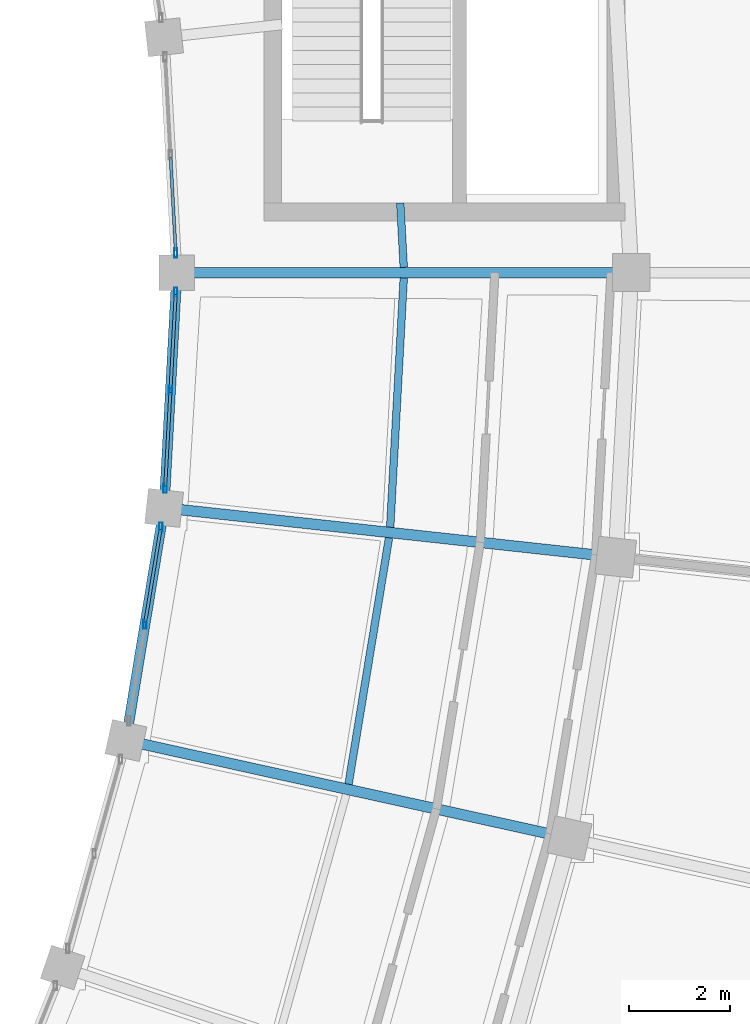
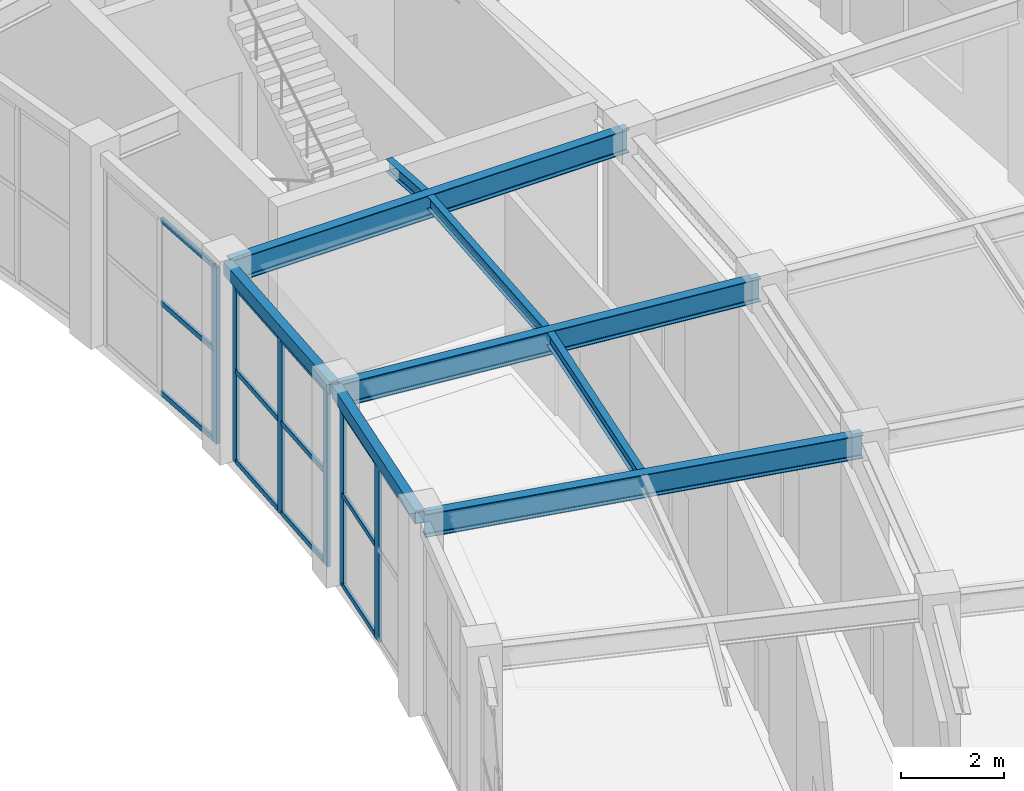
# One storey, part 57 of 100: 18 members, 8 beams, 3 elements without a shape of their own.
"""IFC4 building model written with IfcOpenShell, lengths in metres."""

from ifc_helpers import new_model, si_unit, direction, frame, origin, origin_2d, place, context, subcontext, project, spatial, hollow_rectangle, i_section, extrude, material, material_profile, profile_set, type_object, element, aggregate, save


model = new_model("IFC4")

# Units and contexts
model_context = context("Model", 3, precision=1e-05, world=origin(), true_north=direction((0.0, 1.0)))
body_context = subcontext(model_context, "Body", "Model", "MODEL_VIEW")
ifc_project = project(units=[si_unit("LENGTHUNIT", "METRE"), si_unit("AREAUNIT", "SQUARE_METRE"), si_unit("VOLUMEUNIT", "CUBIC_METRE"), si_unit("PLANEANGLEUNIT", "RADIAN"), si_unit("MASSUNIT", "GRAM", prefix="KILO")], contexts=[model_context])

# Site, building, storey
site_placement = place(None, origin())
site = spatial("IfcSite", under=ifc_project, at=site_placement, CompositionType="ELEMENT")
building_placement = place(site_placement, origin())
building = spatial("IfcBuilding", under=site, at=building_placement, Name="Tarnveldt Headland Concert Hall", CompositionType="ELEMENT")
storey_placement = place(building_placement, frame((0.0, 0.0, 4.800048828125)))
storey = spatial("IfcBuildingStorey", under=building, at=storey_placement, Name="L01", CompositionType="ELEMENT", Elevation=4.800048828125)

# Curtain wall, members
ifc_material_1 = material(Name="Marine-anodised aluminium EN AW-6063-T6", Category="aluminium")
curtain_wall_type = type_object("IfcCurtainWallType", Name="CW-C2", PredefinedType="NOTDEFINED", material=ifc_material_1)
curtain_wall_1_placement = place(storey_placement, origin())
curtain_wall_1 = element("IfcCurtainWall", 1, at=curtain_wall_1_placement, inside=storey, type_object=curtain_wall_type, Name="Curtain wall CW-L01-112", PredefinedType="NOTDEFINED")
ifc_material_profile_1 = material_profile(ifc_material_1, hollow_rectangle(XDim=0.06494140625, YDim=0.179931640625, WallThickness=0.00390625, at=origin_2d()), Name="ALU MULLION 65x180x4", Category="aluminium")
ifc_profile_set_1 = profile_set([ifc_material_profile_1], Name="Marine-anodised aluminium EN AW-6063-T6")
member_type_1 = type_object("IfcMemberType", Name="ML-180", PredefinedType="MULLION", material=ifc_profile_set_1)
member_1_placement = place(storey_placement, frame((159.8681640625, 53.03662109375, 0.0), z_axis=(0.0, 0.0, 1.0), x_axis=(1.0, 0.0, 0.0)))
member_1 = element("IfcMember", 2, at=member_1_placement, type_object=member_type_1, Name="Mullion CW-L01-112-2", PredefinedType="MULLION", context=body_context, shape_type="SweptSolid", body=[
    extrude(hollow_rectangle(XDim=0.06494140625, YDim=0.179931640625, WallThickness=0.00390625, at=origin_2d()), origin(), (0.0, 0.0, 1.0), 4.179931640625),
])
member_2_placement = place(storey_placement, frame((160.183349609375, 54.95458984375, 0.0), z_axis=(0.0, 0.0, 1.0), x_axis=(1.0, 0.0, 0.0)))
member_2 = element("IfcMember", 3, at=member_2_placement, type_object=member_type_1, Name="Mullion CW-L01-112-3", PredefinedType="MULLION", context=body_context, shape_type="SweptSolid", body=[
    extrude(hollow_rectangle(XDim=0.06494140625, YDim=0.179931640625, WallThickness=0.00390625, at=origin_2d()), origin(), (0.0, 0.0, 1.0), 4.179931640625),
])

curtain_wall_2_placement = place(storey_placement, origin())
curtain_wall_2 = element("IfcCurtainWall", 4, at=curtain_wall_2_placement, inside=storey, type_object=curtain_wall_type, Name="Curtain wall CW-L01-113", PredefinedType="NOTDEFINED")
member_3_placement = place(storey_placement, frame((160.267822265625, 55.728759765625, 0.0), z_axis=(0.0, 0.0, 1.0), x_axis=(1.0, 0.0, 0.0)))
member_3 = element("IfcMember", 5, at=member_3_placement, type_object=member_type_1, Name="Mullion CW-L01-113-1", PredefinedType="MULLION", context=body_context, shape_type="SweptSolid", body=[
    extrude(hollow_rectangle(XDim=0.06494140625, YDim=0.179931640625, WallThickness=0.00390625, at=origin_2d()), origin(), (0.0, 0.0, 1.0), 4.179931640625),
])
member_4_placement = place(storey_placement, frame((160.373291015625, 57.669677734375, 0.0), z_axis=(0.0, 0.0, 1.0), x_axis=(1.0, 0.0, 0.0)))
member_4 = element("IfcMember", 6, at=member_4_placement, type_object=member_type_1, Name="Mullion CW-L01-113-2", PredefinedType="MULLION", context=body_context, shape_type="SweptSolid", body=[
    extrude(hollow_rectangle(XDim=0.06494140625, YDim=0.179931640625, WallThickness=0.00390625, at=origin_2d()), origin(), (0.0, 0.0, 1.0), 4.179931640625),
])
member_5_placement = place(storey_placement, frame((160.478759765625, 59.610595703125, 0.0), z_axis=(0.0, 0.0, 1.0), x_axis=(1.0, 0.0, 0.0)))
member_5 = element("IfcMember", 7, at=member_5_placement, type_object=member_type_1, Name="Mullion CW-L01-113-3", PredefinedType="MULLION", context=body_context, shape_type="SweptSolid", body=[
    extrude(hollow_rectangle(XDim=0.06494140625, YDim=0.179931640625, WallThickness=0.00390625, at=origin_2d()), origin(), (0.0, 0.0, 1.0), 4.179931640625),
])

# Curtain wall, member
curtain_wall_3_placement = place(storey_placement, origin())
curtain_wall_3 = element("IfcCurtainWall", 8, at=curtain_wall_3_placement, inside=storey, type_object=curtain_wall_type, Name="Curtain wall CW-L01-114", PredefinedType="NOTDEFINED")
member_6_placement = place(storey_placement, frame((160.478759765625, 60.389404296875, 0.0), z_axis=(0.0, 0.0, 1.0), x_axis=(1.0, 0.0, 0.0)))
member_6 = element("IfcMember", 9, at=member_6_placement, type_object=member_type_1, Name="Mullion CW-L01-114-1", PredefinedType="MULLION", context=body_context, shape_type="SweptSolid", body=[
    extrude(hollow_rectangle(XDim=0.06494140625, YDim=0.179931640625, WallThickness=0.00390625, at=origin_2d()), origin(), (0.0, 0.0, 1.0), 4.179931640625),
])

# Beams
ifc_material_2 = material(Name="Steel S355", Category="steel")
ifc_material_profile_2 = material_profile(ifc_material_2, i_section(OverallWidth=0.14990234375, OverallDepth=0.300048828125, WebThickness=0.007080078125, FlangeThickness=0.0107421875, FilletRadius=0.014892578125, at=origin_2d()), Name="IPE300", Category="steel")
ifc_profile_set_2 = profile_set([ifc_material_profile_2], Name="Steel S355")
beam_type_1 = type_object("IfcBeamType", Name="SB-IPE300", PredefinedType="JOIST", material=ifc_profile_set_2)
beam_1_placement = place(storey_placement, frame((163.90087890625, 49.86767578125, 4.389892578125), z_axis=(0.162205283483, 0.986757034943, 0.0), x_axis=(-0.986757034943, 0.162205283483, 0.0)))
element("IfcBeam", 10, at=beam_1_placement, inside=storey, type_object=beam_type_1, Name="Framing beam L01-789", PredefinedType="JOIST", context=body_context, shape_type="SweptSolid", body=[
    extrude(i_section(OverallWidth=0.14990234375, OverallDepth=0.300048828125, WebThickness=0.007080078125, FlangeThickness=0.0107421875, FilletRadius=0.014892578125, at=origin_2d()), origin(), (0.0, 0.0, 1.0), 4.94580078125),
])
beam_2_placement = place(storey_placement, frame((164.725830078125, 54.95654296875, 4.389892578125), z_axis=(0.054297162642, 0.998524820988, 0.0), x_axis=(-0.998524820988, 0.054297162642, 0.0)))
element("IfcBeam", 11, at=beam_2_placement, inside=storey, type_object=beam_type_1, Name="Framing beam L01-796", PredefinedType="JOIST", context=body_context, shape_type="SweptSolid", body=[
    extrude(i_section(OverallWidth=0.14990234375, OverallDepth=0.300048828125, WebThickness=0.007080078125, FlangeThickness=0.0107421875, FilletRadius=0.014892578125, at=origin_2d()), origin(), (0.0, 0.0, 1.0), 4.946044921875),
])
beam_3_placement = place(storey_placement, frame((164.994384765625, 60.104736328125, 4.389892578125), z_axis=(-0.05429467501, 0.998524956256, 0.0), x_axis=(-0.998524956256, -0.05429467501, 0.0)))
element("IfcBeam", 12, at=beam_3_placement, inside=storey, type_object=beam_type_1, Name="Framing beam L01-803", PredefinedType="JOIST", context=body_context, shape_type="SweptSolid", body=[
    extrude(i_section(OverallWidth=0.14990234375, OverallDepth=0.300048828125, WebThickness=0.007080078125, FlangeThickness=0.0107421875, FilletRadius=0.014892578125, at=origin_2d()), origin(), (0.0, 0.0, 1.0), 1.277099609375),
])
ifc_material_profile_3 = material_profile(ifc_material_2, i_section(OverallWidth=0.2099609375, OverallDepth=0.550048828125, WebThickness=0.010986328125, FlangeThickness=0.01708984375, FilletRadius=0.02392578125, at=origin_2d()), Name="IPE550", Category="steel")
ifc_profile_set_3 = profile_set([ifc_material_profile_3], Name="Steel S355")
beam_type_2 = type_object("IfcBeamType", Name="SB-IPE550", PredefinedType="BEAM", material=ifc_profile_set_3)
beam_4_placement = place(storey_placement, frame((159.54833984375, 50.720947265625, 4.264892578125), z_axis=(0.976505569656, -0.215492163268, 0.0), x_axis=(0.215492163268, 0.976505569656, 0.0)))
element("IfcBeam", 13, at=beam_4_placement, inside=storey, type_object=beam_type_2, Name="Framing beam L01-784", PredefinedType="BEAM", context=body_context, shape_type="SweptSolid", body=[
    extrude(i_section(OverallWidth=0.2099609375, OverallDepth=0.550048828125, WebThickness=0.010986328125, FlangeThickness=0.01708984375, FilletRadius=0.02392578125, at=origin_2d()), origin(), (0.0, 0.0, 1.0), 8.880126953125),
])
for number, where, z_axis, x_axis, name in (
    (14, (160.306396484375, 55.3330078125, 4.264892578125), (0.994109611255, -0.108379337562, 0.0), (0.108379337562, 0.994109611255, 0.0), "Framing beam L01-791"),
    (15, (160.56005859375, 60.0, 4.264892578125), (1.0, 0.0, 0.0), (0.0, 1.0, 0.0), "Framing beam L01-798"),
):
    element("IfcBeam", number, at=place(storey_placement, frame(where, z_axis=z_axis, x_axis=x_axis)), inside=storey, type_object=beam_type_2, Name=name, PredefinedType="BEAM", context=body_context, shape_type="SweptSolid", body=[
        extrude(i_section(OverallWidth=0.2099609375, OverallDepth=0.550048828125, WebThickness=0.010986328125, FlangeThickness=0.01708984375, FilletRadius=0.02392578125, at=origin_2d()), origin(), (0.0, 0.0, 1.0), 8.8798828125),
    ])
ifc_material_profile_4 = material_profile(ifc_material_2, hollow_rectangle(XDim=0.199951171875, YDim=0.300048828125, WallThickness=0.012451171875, at=origin_2d()), Name="RHS 300x200x12.5", Category="steel")
ifc_profile_set_4 = profile_set([ifc_material_profile_4], Name="Steel S355")
beam_type_3 = type_object("IfcBeamType", Name="SB-RHS300", PredefinedType="SPANDREL", material=ifc_profile_set_4)
beam_5_placement = place(storey_placement, frame((159.49951171875, 50.79296875, 4.389892578125), z_axis=(0.162187266023, 0.986759996524, 0.0), x_axis=(-0.986759996524, 0.162187266023, 0.0)))
element("IfcBeam", 16, at=beam_5_placement, inside=storey, type_object=beam_type_3, Name="Framing beam L01-786", PredefinedType="SPANDREL", context=body_context, shape_type="SweptSolid", body=[
    extrude(hollow_rectangle(XDim=0.199951171875, YDim=0.300048828125, WallThickness=0.012451171875, at=origin_2d()), origin(), (0.0, 0.0, 1.0), 4.547607421875),
])
beam_6_placement = place(storey_placement, frame((160.25, 55.3994140625, 4.389892578125), z_axis=(0.05422410232, 0.998528791136, 0.0), x_axis=(-0.998528791136, 0.05422410232, 0.0)))
element("IfcBeam", 17, at=beam_6_placement, inside=storey, type_object=beam_type_3, Name="Framing beam L01-793", PredefinedType="SPANDREL", context=body_context, shape_type="SweptSolid", body=[
    extrude(hollow_rectangle(XDim=0.199951171875, YDim=0.300048828125, WallThickness=0.012451171875, at=origin_2d()), origin(), (0.0, 0.0, 1.0), 4.54736328125),
])

# Member
ifc_material_profile_5 = material_profile(ifc_material_1, hollow_rectangle(XDim=0.06005859375, YDim=0.1201171875, WallThickness=0.00390625, at=origin_2d()), Name="ALU TRANSOM 60x120x4", Category="aluminium")
ifc_profile_set_5 = profile_set([ifc_material_profile_5], Name="Marine-anodised aluminium EN AW-6063-T6")
member_type_2 = type_object("IfcMemberType", Name="TR-110", PredefinedType="MEMBER", material=ifc_profile_set_5)
member_7_placement = place(storey_placement, frame((159.87548828125, 53.08056640625, 0.050048828125), z_axis=(0.162178507112, 0.986761436129, 0.0), x_axis=(-0.986761436129, 0.162178507112, 0.0)))
member_7 = element("IfcMember", 18, at=member_7_placement, type_object=member_type_2, Name="Transom CW-L01-112-2-1", PredefinedType="MEMBER", context=body_context, shape_type="SweptSolid", body=[
    extrude(hollow_rectangle(XDim=0.06005859375, YDim=0.1201171875, WallThickness=0.00390625, at=origin_2d()), origin(), (0.0, 0.0, 1.0), 1.854736328125),
])

member_8_placement = place(storey_placement, frame((159.87548828125, 53.08056640625, 2.173583984375), z_axis=(0.162178507112, 0.986761436129, 0.0), x_axis=(-0.986761436129, 0.162178507112, 0.0)))
member_8 = element("IfcMember", 19, at=member_8_placement, type_object=member_type_2, Name="Transom CW-L01-112-2-2", PredefinedType="MEMBER", context=body_context, shape_type="SweptSolid", body=[
    extrude(hollow_rectangle(XDim=0.06005859375, YDim=0.1201171875, WallThickness=0.00390625, at=origin_2d()), origin(), (0.0, 0.0, 1.0), 1.854736328125),
])

member_9_placement = place(storey_placement, frame((159.87548828125, 53.08056640625, 4.1298828125), z_axis=(0.162178507112, 0.986761436129, 0.0), x_axis=(-0.986761436129, 0.162178507112, 0.0)))
member_9 = element("IfcMember", 20, at=member_9_placement, type_object=member_type_2, Name="Transom CW-L01-112-2-3", PredefinedType="MEMBER", context=body_context, shape_type="SweptSolid", body=[
    extrude(hollow_rectangle(XDim=0.06005859375, YDim=0.1201171875, WallThickness=0.00390625, at=origin_2d()), origin(), (0.0, 0.0, 1.0), 1.854736328125),
])

aggregate(curtain_wall_1, [member_1, member_2, member_7, member_8, member_9])

member_10_placement = place(storey_placement, frame((160.270263671875, 55.773193359375, 0.050048828125), z_axis=(0.054230650598, 0.998528435517, 0.0), x_axis=(-0.998528435517, 0.054230650598, 0.0)))
member_10 = element("IfcMember", 21, at=member_10_placement, type_object=member_type_2, Name="Transom CW-L01-113-1-1", PredefinedType="MEMBER", context=body_context, shape_type="SweptSolid", body=[
    extrude(hollow_rectangle(XDim=0.06005859375, YDim=0.1201171875, WallThickness=0.00390625, at=origin_2d()), origin(), (0.0, 0.0, 1.0), 1.854736328125),
])

member_11_placement = place(storey_placement, frame((160.270263671875, 55.773193359375, 2.173583984375), z_axis=(0.054230650598, 0.998528435517, 0.0), x_axis=(-0.998528435517, 0.054230650598, 0.0)))
member_11 = element("IfcMember", 22, at=member_11_placement, type_object=member_type_2, Name="Transom CW-L01-113-1-2", PredefinedType="MEMBER", context=body_context, shape_type="SweptSolid", body=[
    extrude(hollow_rectangle(XDim=0.06005859375, YDim=0.1201171875, WallThickness=0.00390625, at=origin_2d()), origin(), (0.0, 0.0, 1.0), 1.854736328125),
])

member_12_placement = place(storey_placement, frame((160.270263671875, 55.773193359375, 4.1298828125), z_axis=(0.054230650598, 0.998528435517, 0.0), x_axis=(-0.998528435517, 0.054230650598, 0.0)))
member_12 = element("IfcMember", 23, at=member_12_placement, type_object=member_type_2, Name="Transom CW-L01-113-1-3", PredefinedType="MEMBER", context=body_context, shape_type="SweptSolid", body=[
    extrude(hollow_rectangle(XDim=0.06005859375, YDim=0.1201171875, WallThickness=0.00390625, at=origin_2d()), origin(), (0.0, 0.0, 1.0), 1.854736328125),
])

member_13_placement = place(storey_placement, frame((160.375732421875, 57.714111328125, 0.050048828125), z_axis=(0.054230650598, 0.998528435517, 0.0), x_axis=(-0.998528435517, 0.054230650598, 0.0)))
member_13 = element("IfcMember", 24, at=member_13_placement, type_object=member_type_2, Name="Transom CW-L01-113-2-1", PredefinedType="MEMBER", context=body_context, shape_type="SweptSolid", body=[
    extrude(hollow_rectangle(XDim=0.06005859375, YDim=0.1201171875, WallThickness=0.00390625, at=origin_2d()), origin(), (0.0, 0.0, 1.0), 1.854736328125),
])

member_14_placement = place(storey_placement, frame((160.375732421875, 57.714111328125, 2.173583984375), z_axis=(0.054230650598, 0.998528435517, 0.0), x_axis=(-0.998528435517, 0.054230650598, 0.0)))
member_14 = element("IfcMember", 25, at=member_14_placement, type_object=member_type_2, Name="Transom CW-L01-113-2-2", PredefinedType="MEMBER", context=body_context, shape_type="SweptSolid", body=[
    extrude(hollow_rectangle(XDim=0.06005859375, YDim=0.1201171875, WallThickness=0.00390625, at=origin_2d()), origin(), (0.0, 0.0, 1.0), 1.854736328125),
])

member_15_placement = place(storey_placement, frame((160.375732421875, 57.714111328125, 4.1298828125), z_axis=(0.054230650598, 0.998528435517, 0.0), x_axis=(-0.998528435517, 0.054230650598, 0.0)))
member_15 = element("IfcMember", 26, at=member_15_placement, type_object=member_type_2, Name="Transom CW-L01-113-2-3", PredefinedType="MEMBER", context=body_context, shape_type="SweptSolid", body=[
    extrude(hollow_rectangle(XDim=0.06005859375, YDim=0.1201171875, WallThickness=0.00390625, at=origin_2d()), origin(), (0.0, 0.0, 1.0), 1.854736328125),
])

aggregate(curtain_wall_2, [member_3, member_4, member_5, member_10, member_11, member_12, member_13, member_14, member_15])

member_16_placement = place(storey_placement, frame((160.476318359375, 60.433837890625, 0.050048828125), z_axis=(-0.054230650598, 0.998528435517, 0.0), x_axis=(-0.998528435517, -0.054230650598, 0.0)))
member_16 = element("IfcMember", 27, at=member_16_placement, type_object=member_type_2, Name="Transom CW-L01-114-1-1", PredefinedType="MEMBER", context=body_context, shape_type="SweptSolid", body=[
    extrude(hollow_rectangle(XDim=0.06005859375, YDim=0.1201171875, WallThickness=0.00390625, at=origin_2d()), origin(), (0.0, 0.0, 1.0), 1.854736328125),
])

member_17_placement = place(storey_placement, frame((160.476318359375, 60.433837890625, 2.173583984375), z_axis=(-0.054230650598, 0.998528435517, 0.0), x_axis=(-0.998528435517, -0.054230650598, 0.0)))
member_17 = element("IfcMember", 28, at=member_17_placement, type_object=member_type_2, Name="Transom CW-L01-114-1-2", PredefinedType="MEMBER", context=body_context, shape_type="SweptSolid", body=[
    extrude(hollow_rectangle(XDim=0.06005859375, YDim=0.1201171875, WallThickness=0.00390625, at=origin_2d()), origin(), (0.0, 0.0, 1.0), 1.854736328125),
])

member_18_placement = place(storey_placement, frame((160.476318359375, 60.433837890625, 4.1298828125), z_axis=(-0.054230650598, 0.998528435517, 0.0), x_axis=(-0.998528435517, -0.054230650598, 0.0)))
member_18 = element("IfcMember", 29, at=member_18_placement, type_object=member_type_2, Name="Transom CW-L01-114-1-3", PredefinedType="MEMBER", context=body_context, shape_type="SweptSolid", body=[
    extrude(hollow_rectangle(XDim=0.06005859375, YDim=0.1201171875, WallThickness=0.00390625, at=origin_2d()), origin(), (0.0, 0.0, 1.0), 1.854736328125),
])

aggregate(curtain_wall_3, [member_6, member_16, member_17, member_18])

save(model, "model.ifc")
